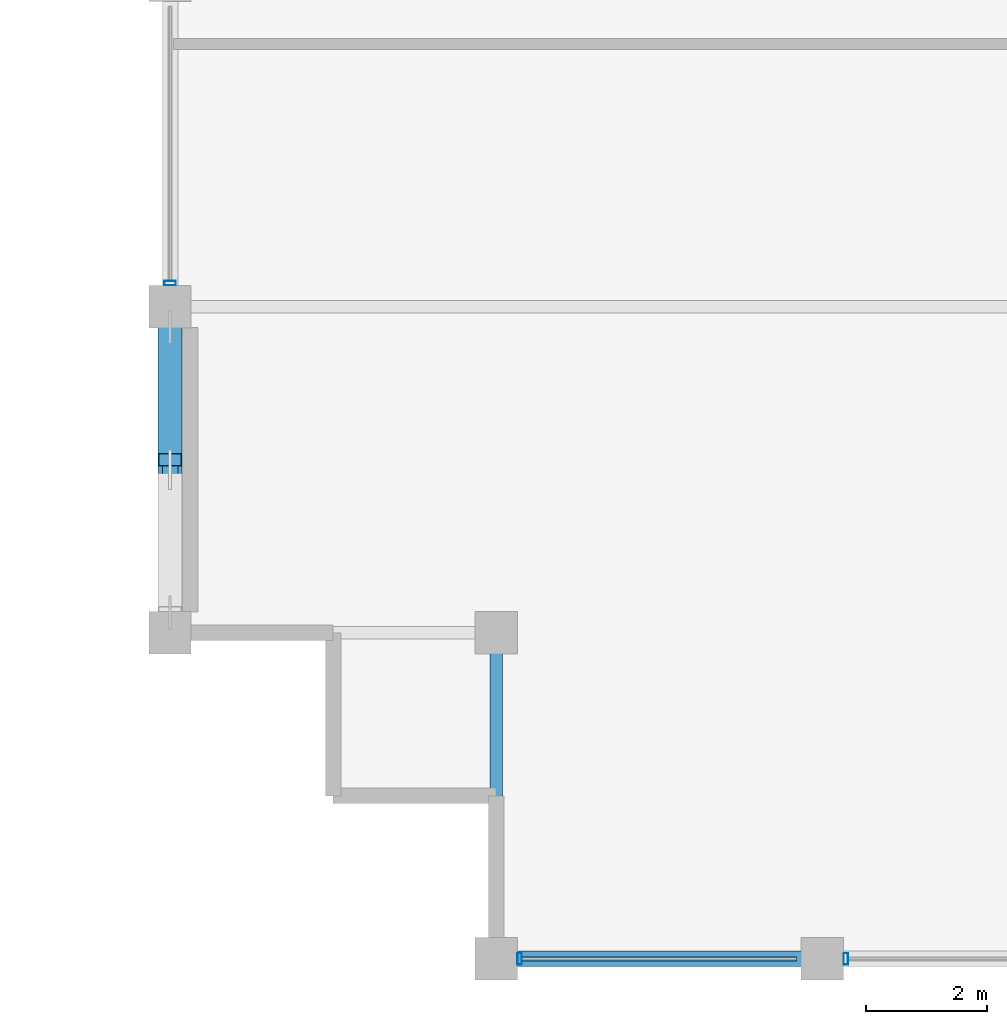
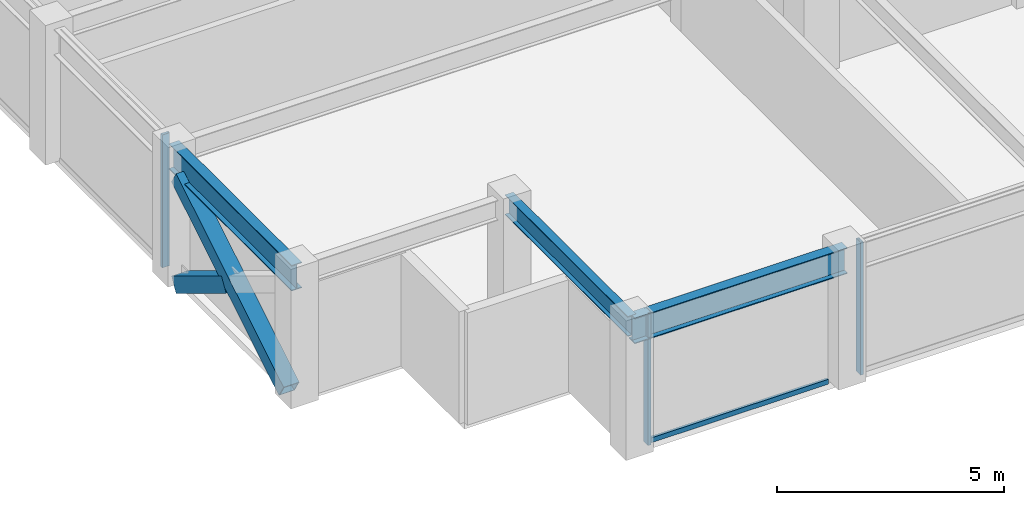
# One storey, part 2 of 31: 6 members, 3 beams, 2 elements without a shape of their own.
"""IFC4 building model written with IfcOpenShell, lengths in metres."""

import ifcopenshell
import ifcopenshell.guid

model = None  # the IFC model being written
_history = None  # IfcOwnerHistory: only IFC2X3 demands one
_inside = {}  # id of a spatial element -> (the spatial element, [elements in it])
_under = {}  # id of a project, library or spatial element -> (it, [spatial elements below it])
_declared = {}  # id of a project -> (the project, [libraries it declares])
_typed = {}  # id of a type object -> (the type object, [elements of that type])
_made_of = {}  # id of a material, layer set ... -> (it, [elements and type objects made of it])


def new_model(schema):
    """Start an empty IFC model of exactly this schema.

    Asked for "IFC4X3", IfcOpenShell would pick the latest addendum, in which some entities
    have other attributes; the version numbers below select the first issue.
    IFC2X3 requires an IfcOwnerHistory on every rooted entity: one is made here for all.
    """
    global model, _history
    if schema == "IFC4X3":
        model = ifcopenshell.file(schema_version=(4, 3, 0, 0))
    else:
        model = ifcopenshell.file(schema=schema)
    _inside.clear()
    _under.clear()
    _declared.clear()
    _typed.clear()
    _made_of.clear()
    _history = None
    if model.schema == "IFC2X3":
        org = make("IfcOrganization", Name="unknown")
        user = make(
            "IfcPersonAndOrganization",
            ThePerson=make("IfcPerson", FamilyName="unknown"),
            TheOrganization=org,
        )
        app = make(
            "IfcApplication",
            ApplicationDeveloper=org,
            Version="unknown",
            ApplicationFullName="unknown",
            ApplicationIdentifier="unknown",
        )
        _history = make(
            "IfcOwnerHistory",
            OwningUser=user,
            OwningApplication=app,
            ChangeAction="ADDED",
            CreationDate=0,
        )
    return model


def make(cls, **values):
    """One entity of the class cls with the attributes given. An attribute that is None is left unset."""
    return model.create_entity(
        cls, **{name: value for name, value in values.items() if value is not None}
    )


def rooted(cls, **values):
    """An entity with a GlobalId (a new one), such as an element, a storey or a relation."""
    return make(cls, GlobalId=ifcopenshell.guid.new(), OwnerHistory=_history, **values)


def si_unit(unit_type, name, prefix=None):
    """IfcSIUnit, for example si_unit("LENGTHUNIT", "METRE", prefix="MILLI")."""
    return make("IfcSIUnit", UnitType=unit_type, Prefix=prefix, Name=name)


def assignment(units):
    """IfcUnitAssignment: the units of a project."""
    return None if units is None else make("IfcUnitAssignment", Units=units)


def point(xyz):
    """IfcCartesianPoint."""
    return None if xyz is None else make("IfcCartesianPoint", Coordinates=xyz)


def direction(xyz):
    """IfcDirection."""
    return None if xyz is None else make("IfcDirection", DirectionRatios=xyz)


def frame(location, z_axis=None, x_axis=None):
    """IfcAxis2Placement3D, a coordinate frame: its origin and axes. An axis left out is left unset."""
    return make(
        "IfcAxis2Placement3D",
        Location=point(location),
        Axis=direction(z_axis),
        RefDirection=direction(x_axis),
    )


def frame_2d(location, x_axis=None):
    """IfcAxis2Placement2D, a coordinate frame in the plane: its origin and x axis."""
    return make(
        "IfcAxis2Placement2D", Location=point(location), RefDirection=direction(x_axis)
    )


def origin():
    """The frame at (0, 0, 0) with its axes left unset."""
    return frame((0.0, 0.0, 0.0))


def origin_2d():
    """The frame at (0, 0) in the plane with its x axis left unset."""
    return frame_2d((0.0, 0.0))


def place(relative_to, where):
    """IfcLocalPlacement: puts the frame where relative to a parent placement (None: the world)."""
    return make(
        "IfcLocalPlacement", PlacementRelTo=relative_to, RelativePlacement=where
    )


def context(
    kind, dimensions, precision=None, world=None, true_north=None, identifier=None
):
    """IfcGeometricRepresentationContext, for example the 3D "Model" context."""
    return make(
        "IfcGeometricRepresentationContext",
        ContextIdentifier=identifier,
        ContextType=kind,
        CoordinateSpaceDimension=dimensions,
        Precision=precision,
        WorldCoordinateSystem=world,
        TrueNorth=true_north,
    )


def subcontext(parent, identifier, kind, view, scale=None):
    """IfcGeometricRepresentationSubContext, for example "Body" below "Model"."""
    return make(
        "IfcGeometricRepresentationSubContext",
        ContextIdentifier=identifier,
        ContextType=kind,
        ParentContext=parent,
        TargetScale=scale,
        TargetView=view,
    )


def project(units=None, contexts=None):
    """IfcProject with its units and contexts."""
    return rooted(
        "IfcProject",
        Name="project",
        RepresentationContexts=contexts,
        UnitsInContext=assignment(units),
    )


def spatial(cls, under=None, at=None, **own):
    """A site, building, storey or space (cls), placed at a placement, below another one or the project."""
    s = rooted(cls, ObjectPlacement=at, **own)
    if under is not None:
        _under.setdefault(under.id(), (under, []))[1].append(s)
    return s


def profile(cls, at=None, kind="AREA", **sizes):
    """A parametric profile (cls). Its sizes go by their IFC names, for example OverallWidth=200.0."""
    return make(cls, ProfileType=kind, Position=at, **sizes)


def hollow_rectangle(**sizes):
    """IfcRectangleHollowProfileDef."""
    return profile("IfcRectangleHollowProfileDef", **sizes)


def i_section(**sizes):
    """IfcIShapeProfileDef."""
    return profile("IfcIShapeProfileDef", **sizes)


def extrude(swept, where, along, depth):
    """IfcExtrudedAreaSolid: the profile swept, set in the frame where, extruded along a direction by depth."""
    return make(
        "IfcExtrudedAreaSolid",
        SweptArea=swept,
        Position=where,
        ExtrudedDirection=direction(along),
        Depth=depth,
    )


def shape(context_of_items, identifier, shape_type, items):
    """IfcShapeRepresentation: the items that make up one representation, for example the "Body"."""
    return make(
        "IfcShapeRepresentation",
        ContextOfItems=context_of_items,
        RepresentationIdentifier=identifier,
        RepresentationType=shape_type,
        Items=items,
    )


def material(Name=None, Category=None):
    """IfcMaterial."""
    return make("IfcMaterial", Name=Name, Category=Category)


def layer(
    of_material, thickness, ventilated=None, Name=None, Category=None, Priority=None
):
    """IfcMaterialLayer: one layer of a wall or slab, of a material (None: an air gap)."""
    return make(
        "IfcMaterialLayer",
        Material=of_material,
        LayerThickness=thickness,
        IsVentilated=ventilated,
        Name=Name,
        Category=Category,
        Priority=Priority,
    )


def layer_set(layers, Name=None):
    """IfcMaterialLayerSet."""
    return make("IfcMaterialLayerSet", MaterialLayers=layers, LayerSetName=Name)


def material_profile(
    of_material, cross_section, Name=None, Category=None, Priority=None
):
    """IfcMaterialProfile: a cross section and its material."""
    return make(
        "IfcMaterialProfile",
        Name=Name,
        Material=of_material,
        Profile=cross_section,
        Priority=Priority,
        Category=Category,
    )


def profile_set(profiles, Name=None, composite=None):
    """IfcMaterialProfileSet."""
    return make(
        "IfcMaterialProfileSet",
        Name=Name,
        MaterialProfiles=profiles,
        CompositeProfile=composite,
    )


def made_of(thing, what):
    """Note that an element or type object is made of a material, layer set ...; save() writes the relation."""
    if what is not None:
        _made_of.setdefault(what.id(), (what, []))[1].append(thing)
    return thing


def type_object(cls, material=None, **own):
    """A type object (cls), such as IfcWallType, which elements share."""
    return made_of(rooted(cls, **own), material)


def element(
    cls,
    number,
    at=None,
    inside=None,
    cuts=None,
    type_object=None,
    material=None,
    context=None,
    identifier="Body",
    shape_type=None,
    held_by="IfcProductDefinitionShape",
    body=None,
    shapes=None,
    **own,
):
    """One element of the class cls, such as IfcWall. Its Tag is "e" and its number.

    at: its placement. inside: the storey or other place that contains it. cuts: it is an
    opening in that element (IfcRelVoidsElement). A single representation is given by context,
    identifier, shape_type and body (its items); several are given by shapes. held_by: the class
    of the entity that holds the representations. save() writes the other relations.
    """
    e = rooted(cls, Tag="e%d" % number, ObjectPlacement=at, **own)
    if body is not None:
        shapes = [shape(context, identifier, shape_type, body)]
    if shapes is not None:
        e.Representation = make(held_by, Representations=shapes)
    if inside is not None:
        _inside.setdefault(inside.id(), (inside, []))[1].append(e)
    if cuts is not None:
        rooted(
            "IfcRelVoidsElement", RelatingBuildingElement=cuts, RelatedOpeningElement=e
        )
    if type_object is not None:
        _typed.setdefault(type_object.id(), (type_object, []))[1].append(e)
    return made_of(e, material)


def aggregate(whole, parts):
    """IfcRelAggregates: a whole, such as a stair, and the parts it consists of."""
    return rooted("IfcRelAggregates", RelatingObject=whole, RelatedObjects=parts)


def save(model, path):
    """Write the relations noted so far, then the file.

    IfcRelAggregates (storeys below a building ...), IfcRelContainedInSpatialStructure (elements
    in a storey), IfcRelDefinesByType, IfcRelAssociatesMaterial and IfcRelDeclares: one each for
    every whole, place, type object, material and project.
    """
    for whole, parts in _under.values():
        aggregate(whole, parts)
    for where, things in _inside.values():
        rooted(
            "IfcRelContainedInSpatialStructure",
            RelatedElements=things,
            RelatingStructure=where,
        )
    for kind, things in _typed.values():
        rooted("IfcRelDefinesByType", RelatedObjects=things, RelatingType=kind)
    for what, things in _made_of.values():
        rooted("IfcRelAssociatesMaterial", RelatedObjects=things, RelatingMaterial=what)
    for by, libraries in _declared.values():
        rooted("IfcRelDeclares", RelatingContext=by, RelatedDefinitions=libraries)
    model.write(path)


model = new_model("IFC4")

# Units and contexts
model_context = context("Model", 3, precision=1e-05, world=origin(), true_north=direction((0.0, 1.0)))
body_context = subcontext(model_context, "Body", "Model", "MODEL_VIEW")
ifc_project = project(units=[si_unit("LENGTHUNIT", "METRE"), si_unit("AREAUNIT", "SQUARE_METRE"), si_unit("VOLUMEUNIT", "CUBIC_METRE"), si_unit("PLANEANGLEUNIT", "RADIAN"), si_unit("MASSUNIT", "GRAM", prefix="KILO")], contexts=[model_context])

# Site, building, storey
site_placement = place(None, origin())
site = spatial("IfcSite", under=ifc_project, at=site_placement, CompositionType="ELEMENT")
building_placement = place(site_placement, origin())
building = spatial("IfcBuilding", under=site, at=building_placement, Name="Surkhivell Harbour Commons", CompositionType="ELEMENT")
storey_placement = place(building_placement, frame((0.0, 0.0, 262.5)))
storey = spatial("IfcBuildingStorey", under=building, at=storey_placement, Name="L68", CompositionType="ELEMENT", Elevation=262.5)

# Beams
ifc_material_1 = material(Name="Steel S355", Category="steel")
ifc_material_profile_1 = material_profile(ifc_material_1, i_section(OverallWidth=0.2099609375, OverallDepth=0.537109375, WebThickness=0.0107421875, FlangeThickness=0.017333984375, at=origin_2d()), Name="UB533x210x101")
ifc_profile_set_1 = profile_set([ifc_material_profile_1], Name="Steel S355")
beam_type_1 = type_object("IfcBeamType", Name="BM-GRD-533B", PredefinedType="BEAM", material=ifc_profile_set_1)
beam_1_placement = place(storey_placement, frame((-21.60009765625, -21.60009765625, 3.301513671875), z_axis=(0.0, 1.0, 0.0), x_axis=(-1.0, 0.0, 0.0)))
element("IfcBeam", 1, at=beam_1_placement, inside=storey, type_object=beam_type_1, Name="L68 Floor Girder (-21.6,-21.6)", PredefinedType="BEAM", context=body_context, shape_type="SweptSolid", body=[
    extrude(i_section(OverallWidth=0.2099609375, OverallDepth=0.537109375, WebThickness=0.0107421875, FlangeThickness=0.017333984375, at=origin_2d()), origin(), (0.0, 0.0, 1.0), 5.400146484375),
])
ifc_material_profile_2 = material_profile(ifc_material_1, i_section(OverallWidth=0.256103515625, OverallDepth=0.693115234375, WebThickness=0.014404296875, FlangeThickness=0.023681640625, at=origin_2d()), Name="UB686x254x170")
ifc_profile_set_2 = profile_set([ifc_material_profile_2], Name="Steel S355")
beam_type_2 = type_object("IfcBeamType", Name="BM-SPN-686", PredefinedType="SPANDREL", material=ifc_profile_set_2)
beam_2_placement = place(storey_placement, frame((-27.0, -16.199951171875, 3.223388671875), z_axis=(0.0, 1.0, 0.0), x_axis=(-1.0, 0.0, 0.0)))
element("IfcBeam", 2, at=beam_2_placement, inside=storey, type_object=beam_type_2, Name="L68 Tube Spandrel (-27.0,-16.2)", PredefinedType="SPANDREL", context=body_context, shape_type="SweptSolid", body=[
    extrude(i_section(OverallWidth=0.256103515625, OverallDepth=0.693115234375, WebThickness=0.014404296875, FlangeThickness=0.023681640625, at=origin_2d()), origin(), (0.0, 0.0, 1.0), 5.39990234375),
])
beam_3_placement = place(storey_placement, frame((-21.60009765625, -21.60009765625, 3.223388671875), z_axis=(1.0, 0.0, 0.0), x_axis=(0.0, 1.0, 0.0)))
element("IfcBeam", 3, at=beam_3_placement, inside=storey, type_object=beam_type_2, Name="L68 Tube Spandrel (-21.6,-21.6)", PredefinedType="SPANDREL", context=body_context, shape_type="SweptSolid", body=[
    extrude(i_section(OverallWidth=0.256103515625, OverallDepth=0.693115234375, WebThickness=0.014404296875, FlangeThickness=0.023681640625, at=origin_2d()), origin(), (0.0, 0.0, 1.0), 5.400146484375),
])

# Curtain wall, members
ifc_material_2 = material(Name="Anodised pale-metal aluminium and insulated glazing", Category="aluminium")
ifc_layer = layer(ifc_material_2, 0.175048828125)
ifc_layer_set = layer_set([ifc_layer], Name="Anodised pale-metal aluminium and insulated glazing")
curtain_wall_type = type_object("IfcCurtainWallType", Name="CW-SYS-Z4", PredefinedType="NOTDEFINED", material=ifc_layer_set)
curtain_wall_1_placement = place(storey_placement, origin())
curtain_wall_1 = element("IfcCurtainWall", 4, at=curtain_wall_1_placement, inside=storey, type_object=curtain_wall_type, Name="L68 Curtain Wall CW-L68-E00S1", PredefinedType="NOTDEFINED")
ifc_material_3 = material(Name="Anodised pale-metal aluminium alloy 6063-T6", Category="aluminium")
ifc_material_profile_3 = material_profile(ifc_material_3, hollow_rectangle(XDim=0.074951171875, YDim=0.18994140625, WallThickness=0.00390625, at=origin_2d()), Name="ALU-MULL-75x190")
ifc_profile_set_3 = profile_set([ifc_material_profile_3], Name="Anodised pale-metal aluminium alloy 6063-T6")
member_type_1 = type_object("IfcMemberType", Name="CWM-190", PredefinedType="MULLION", material=ifc_profile_set_3)
member_1_placement = place(storey_placement, frame((-21.21044921875, -21.60009765625, 0.0), z_axis=(0.0, 0.0, 1.0), x_axis=(1.0, 0.0, 0.0)))
member_1 = element("IfcMember", 5, at=member_1_placement, type_object=member_type_1, Name="CW-Z4 mullion 1", PredefinedType="MULLION", context=body_context, shape_type="SweptSolid", body=[
    extrude(hollow_rectangle(XDim=0.074951171875, YDim=0.18994140625, WallThickness=0.00390625, at=origin_2d()), origin(), (0.0, 0.0, 1.0), 3.570068359375),
])
member_2_placement = place(storey_placement, frame((-15.810546875, -21.60009765625, 0.0), z_axis=(0.0, 0.0, 1.0), x_axis=(1.0, 0.0, 0.0)))
member_2 = element("IfcMember", 6, at=member_2_placement, type_object=member_type_1, Name="CW-Z4 mullion 2", PredefinedType="MULLION", context=body_context, shape_type="SweptSolid", body=[
    extrude(hollow_rectangle(XDim=0.074951171875, YDim=0.18994140625, WallThickness=0.00390625, at=origin_2d()), origin(), (0.0, 0.0, 1.0), 3.570068359375),
])

# Curtain wall, member
curtain_wall_2_placement = place(storey_placement, origin())
curtain_wall_2 = element("IfcCurtainWall", 7, at=curtain_wall_2_placement, inside=storey, type_object=curtain_wall_type, Name="L68 Curtain Wall CW-L68-E12R1S1", PredefinedType="NOTDEFINED")
member_3_placement = place(storey_placement, frame((-27.0, -10.410400390625, 0.0), z_axis=(0.0, 0.0, 1.0), x_axis=(0.0, 1.0, 0.0)))
member_3 = element("IfcMember", 8, at=member_3_placement, type_object=member_type_1, Name="CW-Z4 mullion 1", PredefinedType="MULLION", context=body_context, shape_type="SweptSolid", body=[
    extrude(hollow_rectangle(XDim=0.074951171875, YDim=0.18994140625, WallThickness=0.00390625, at=origin_2d()), origin(), (0.0, 0.0, 1.0), 3.570068359375),
])
aggregate(curtain_wall_2, [member_3])

# Member
ifc_material_4 = material(Name="Champagne anodised aluminium alloy 6063-T6", Category="aluminium")
ifc_material_profile_4 = material_profile(ifc_material_4, hollow_rectangle(XDim=0.070068359375, YDim=0.1298828125, WallThickness=0.00341796875, at=origin_2d()), Name="ALU-TRAN-70x130")
ifc_profile_set_4 = profile_set([ifc_material_profile_4], Name="Champagne anodised aluminium alloy 6063-T6")
member_type_2 = type_object("IfcMemberType", Name="CWT-130", PredefinedType="USERDEFINED", material=ifc_profile_set_4)
member_4_placement = place(storey_placement, frame((-21.173095703125, -21.60009765625, 0.06494140625), z_axis=(1.0, 0.0, 0.0), x_axis=(0.0, 1.0, 0.0)))
member_4 = element("IfcMember", 9, at=member_4_placement, type_object=member_type_2, Name="CW-Z4 transom 1.1", ObjectType="TRANSOM", PredefinedType="USERDEFINED", context=body_context, shape_type="SweptSolid", body=[
    extrude(hollow_rectangle(XDim=0.070068359375, YDim=0.1298828125, WallThickness=0.00341796875, at=origin_2d()), origin(), (0.0, 0.0, 1.0), 4.546142578125),
])

aggregate(curtain_wall_1, [member_1, member_4, member_2])

# Members
ifc_material_5 = material(Name="Steel S460", Category="steel")
ifc_material_profile_5 = material_profile(ifc_material_5, hollow_rectangle(XDim=0.39990234375, YDim=0.39990234375, WallThickness=0.02001953125, at=origin_2d()), Name="SHS400x400x20")
ifc_profile_set_5 = profile_set([ifc_material_profile_5], Name="Steel S460")
member_type_3 = type_object("IfcMemberType", Name="MEM-BRC-SHS400", PredefinedType="BRACE", material=ifc_profile_set_5)
member_5_placement = place(storey_placement, frame((-27.0, -15.864990234375, 0.008056640625), z_axis=(0.0, 0.854685454322, 0.519146197299), x_axis=(-1.0, 0.0, 0.0)))
element("IfcMember", 10, at=member_5_placement, inside=storey, type_object=member_type_3, Name="L68 Perimeter Mega-Brace MB- 10", PredefinedType="BRACE", context=body_context, shape_type="SweptSolid", body=[
    extrude(hollow_rectangle(XDim=0.39990234375, YDim=0.39990234375, WallThickness=0.02001953125, at=origin_2d()), origin(), (0.0, 0.0, 1.0), 5.5341796875),
])
member_6_placement = place(storey_placement, frame((-27.0, -11.135009765625, 0.008056640625), z_axis=(0.0, -0.854719912157, 0.519089464122), x_axis=(1.0, 0.0, 0.0)))
element("IfcMember", 11, at=member_6_placement, inside=storey, type_object=member_type_3, Name="L68 Perimeter Mega-Brace MB- 11", PredefinedType="BRACE", context=body_context, shape_type="SweptSolid", body=[
    extrude(hollow_rectangle(XDim=0.39990234375, YDim=0.39990234375, WallThickness=0.02001953125, at=origin_2d()), origin(), (0.0, 0.0, 1.0), 2.574951171875),
])

save(model, "model.ifc")
